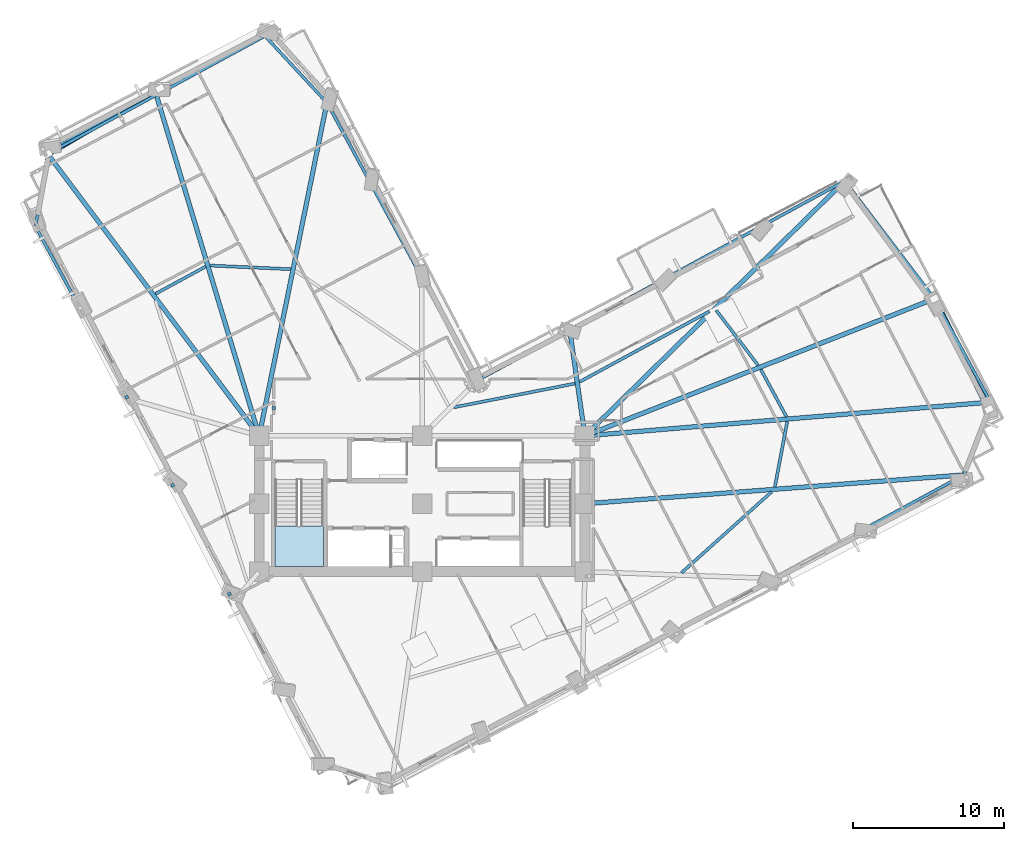
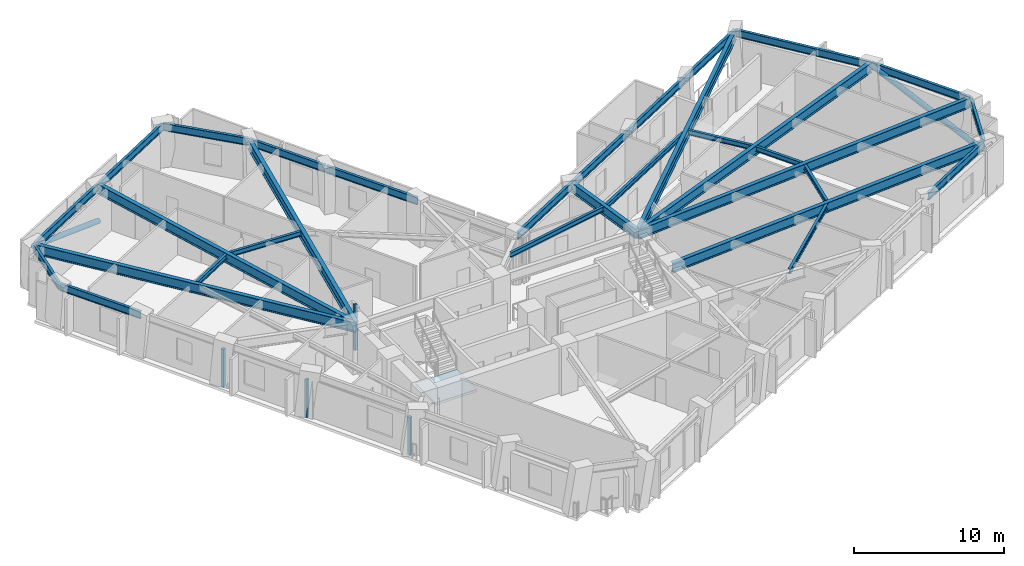
# One storey, part 2 of 16: 31 beams, 4 plates, 2 members, 1 slab, 1 element without a shape of its own.
"""IFC4 building model written with IfcOpenShell, lengths in metres."""

from ifc_helpers import new_model, si_unit, direction, frame, origin, origin_2d, place, context, subcontext, project, spatial, polyline, rectangle, hollow_circle, i_section, outline, extrude, material, layer, layer_set, material_profile, profile_set, type_object, element, aggregate, save


model = new_model("IFC4")

# Units and contexts
model_context = context("Model", 3, precision=1e-05, world=origin(), true_north=direction((0.0, 1.0)))
body_context = subcontext(model_context, "Body", "Model", "MODEL_VIEW")
ifc_project = project(units=[si_unit("LENGTHUNIT", "METRE"), si_unit("AREAUNIT", "SQUARE_METRE"), si_unit("VOLUMEUNIT", "CUBIC_METRE"), si_unit("PLANEANGLEUNIT", "RADIAN"), si_unit("MASSUNIT", "GRAM", prefix="KILO")], contexts=[model_context])

# Site, building, storey
site_placement = place(None, origin())
site = spatial("IfcSite", under=ifc_project, at=site_placement, CompositionType="ELEMENT")
building_placement = place(site_placement, origin())
building = spatial("IfcBuilding", under=site, at=building_placement, Name="Gaonmaruhae Medical Tower", CompositionType="ELEMENT")
storey_placement = place(building_placement, frame((0.0, 0.0, 140.39990234375)))
storey = spatial("IfcBuildingStorey", under=building, at=storey_placement, Name="L33", CompositionType="ELEMENT", Elevation=140.39990234375)

# Beams
ifc_material_1 = material(Name="Steel SM355", Category="steel")
ifc_material_profile_1 = material_profile(ifc_material_1, i_section(OverallWidth=0.199951171875, OverallDepth=0.39990234375, WebThickness=0.008056640625, FlangeThickness=0.012939453125, FilletRadius=0.012939453125, at=origin_2d()), Name="H-400x200x8x13")
ifc_profile_set_1 = profile_set([ifc_material_profile_1], Name="Steel SM355")
beam_type_1 = type_object("IfcBeamType", Name="FJ-01 Lower Zone Ward Floor Joist (H-400x200x8x13)", PredefinedType="JOIST", material=ifc_profile_set_1)
beam_1_placement = place(storey_placement, frame((42.0068359375, 7.72119140625, 3.5), z_axis=(0.743831907735, 0.668366735434, 0.0), x_axis=(-0.668366735434, 0.743831907735, 0.0)))
element("IfcBeam", 1, at=beam_1_placement, inside=storey, type_object=beam_type_1, Name="L33 Secondary Floor Joist FJ03", PredefinedType="JOIST", context=body_context, shape_type="SweptSolid", body=[
    extrude(i_section(OverallWidth=0.199951171875, OverallDepth=0.39990234375, WebThickness=0.008056640625, FlangeThickness=0.012939453125, FilletRadius=0.012939453125, at=origin_2d()), origin(), (0.0, 0.0, 1.0), 8.032958984375),
])
beam_2_placement = place(storey_placement, frame((48.19921875, 13.4169921875, 3.5), z_axis=(0.18556175867, 0.982632603631, 0.0), x_axis=(-0.982632603631, 0.18556175867, 0.0)))
element("IfcBeam", 2, at=beam_2_placement, inside=storey, type_object=beam_type_1, Name="L33 Secondary Floor Joist FJ04", PredefinedType="JOIST", context=body_context, shape_type="SweptSolid", body=[
    extrude(i_section(OverallWidth=0.199951171875, OverallDepth=0.39990234375, WebThickness=0.008056640625, FlangeThickness=0.012939453125, FilletRadius=0.012939453125, at=origin_2d()), origin(), (0.0, 0.0, 1.0), 4.422119140625),
])
beam_3_placement = place(storey_placement, frame((48.96875, 18.0703125, 3.5), z_axis=(-0.477161227282, 0.878815773174, 0.0), x_axis=(-0.878815773174, -0.477161227282, 0.0)))
element("IfcBeam", 3, at=beam_3_placement, inside=storey, type_object=beam_type_1, Name="L33 Secondary Floor Joist FJ05", PredefinedType="JOIST", context=body_context, shape_type="SweptSolid", body=[
    extrude(i_section(OverallWidth=0.199951171875, OverallDepth=0.39990234375, WebThickness=0.008056640625, FlangeThickness=0.012939453125, FilletRadius=0.012939453125, at=origin_2d()), origin(), (0.0, 0.0, 1.0), 3.57275390625),
])
beam_4_placement = place(storey_placement, frame((47.0908203125, 21.47705078125, 3.5), z_axis=(-0.605849230567, 0.795579480518, 0.0), x_axis=(-0.795579480518, -0.605849230567, 0.0)))
element("IfcBeam", 4, at=beam_4_placement, inside=storey, type_object=beam_type_1, Name="L33 Secondary Floor Joist FJ06", PredefinedType="JOIST", context=body_context, shape_type="SweptSolid", body=[
    extrude(i_section(OverallWidth=0.199951171875, OverallDepth=0.39990234375, WebThickness=0.008056640625, FlangeThickness=0.012939453125, FilletRadius=0.012939453125, at=origin_2d()), origin(), (0.0, 0.0, 1.0), 4.588623046875),
])
beam_5_placement = place(storey_placement, frame((43.863525390625, 25.0615234375, 3.5), z_axis=(-0.878818541428, -0.47715612879, 0.0), x_axis=(0.47715612879, -0.878818541428, 0.0)))
element("IfcBeam", 5, at=beam_5_placement, inside=storey, type_object=beam_type_1, Name="L33 Secondary Floor Joist FJ07", PredefinedType="JOIST", context=body_context, shape_type="SweptSolid", body=[
    extrude(i_section(OverallWidth=0.199951171875, OverallDepth=0.39990234375, WebThickness=0.008056640625, FlangeThickness=0.012939453125, FilletRadius=0.012939453125, at=origin_2d()), origin(), (0.0, 0.0, 1.0), 9.80859375),
])
beam_6_placement = place(storey_placement, frame((34.944580078125, 20.272216796875, 3.5), z_axis=(-0.98130137738, -0.192477548697, 0.0), x_axis=(0.192477548697, -0.98130137738, 0.0)))
element("IfcBeam", 6, at=beam_6_placement, inside=storey, type_object=beam_type_1, Name="L33 Secondary Floor Joist FJ08", PredefinedType="JOIST", context=body_context, shape_type="SweptSolid", body=[
    extrude(i_section(OverallWidth=0.199951171875, OverallDepth=0.39990234375, WebThickness=0.008056640625, FlangeThickness=0.012939453125, FilletRadius=0.012939453125, at=origin_2d()), origin(), (0.0, 0.0, 1.0), 8.183837890625),
])
beam_7_placement = place(storey_placement, frame((16.088134765625, 27.85693359375, 3.5), z_axis=(-0.998975502939, 0.0452542211, 0.0), x_axis=(-0.0452542211, -0.998975502939, 0.0)))
element("IfcBeam", 7, at=beam_7_placement, inside=storey, type_object=beam_type_1, Name="L33 Secondary Floor Joist FJ11", PredefinedType="JOIST", context=body_context, shape_type="SweptSolid", body=[
    extrude(i_section(OverallWidth=0.199951171875, OverallDepth=0.39990234375, WebThickness=0.008056640625, FlangeThickness=0.012939453125, FilletRadius=0.012939453125, at=origin_2d()), origin(), (0.0, 0.0, 1.0), 5.3408203125),
])
beam_8_placement = place(storey_placement, frame((10.44775390625, 28.030029296875, 3.5), z_axis=(-0.878816320248, -0.477160219703, 0.0), x_axis=(0.477160219703, -0.878816320248, 0.0)))
element("IfcBeam", 8, at=beam_8_placement, inside=storey, type_object=beam_type_1, Name="L33 Secondary Floor Joist FJ12", PredefinedType="JOIST", context=body_context, shape_type="SweptSolid", body=[
    extrude(i_section(OverallWidth=0.199951171875, OverallDepth=0.39990234375, WebThickness=0.008056640625, FlangeThickness=0.012939453125, FilletRadius=0.012939453125, at=origin_2d()), origin(), (0.0, 0.0, 1.0), 3.783203125),
])

# Members
ifc_material_2 = material(Name="Steel SM420", Category="steel")
ifc_material_profile_2 = material_profile(ifc_material_2, hollow_circle(Radius=0.203125, WallThickness=0.0126953125, at=origin_2d()), Name="CHS-406.4x12.7")
ifc_profile_set_2 = profile_set([ifc_material_profile_2], Name="Steel SM420")
member_type = type_object("IfcMemberType", Name="PB-02 Perimeter Solid-Bay Tube Brace Mid (CHS-406.4x12.7)", PredefinedType="BRACE", material=ifc_profile_set_2)
member_1_placement = place(storey_placement, frame((62.400146484375, 18.5634765625, 0.25), z_axis=(-0.412428963784, 0.834948357833, 0.364367382711), x_axis=(-0.896583749998, -0.44287422508, 0.0)))
element("IfcMember", 9, at=member_1_placement, inside=storey, type_object=member_type, Name="L33 Perimeter Tube Solid-Bay Brace E01-E02", PredefinedType="BRACE", context=body_context, shape_type="SweptSolid", body=[
    extrude(hollow_circle(Radius=0.203125, WallThickness=0.0126953125, at=origin_2d()), origin(), (0.0, 0.0, 1.0), 8.782958984375),
])
member_2_placement = place(storey_placement, frame((7.42138671875, 39.84814453125, 0.25), z_axis=(-0.809784172193, -0.472568649563, 0.3477477044), x_axis=(0.504025835747, -0.86368857634, 0.0)))
element("IfcMember", 10, at=member_2_placement, inside=storey, type_object=member_type, Name="L33 Perimeter Tube Solid-Bay Brace N02-N03", PredefinedType="BRACE", context=body_context, shape_type="SweptSolid", body=[
    extrude(hollow_circle(Radius=0.203125, WallThickness=0.0126953125, at=origin_2d()), origin(), (0.0, 0.0, 1.0), 9.20263671875),
])

# Beams
ifc_material_profile_3 = material_profile(ifc_material_2, i_section(OverallWidth=0.300048828125, OverallDepth=0.800048828125, WebThickness=0.013916015625, FlangeThickness=0.02587890625, FilletRadius=0.01806640625, at=origin_2d()), Name="H-800x300x14x26")
ifc_profile_set_3 = profile_set([ifc_material_profile_3], Name="Steel SM420")
beam_type_2 = type_object("IfcBeamType", Name="PG-02 Zone 2 Radial Floor Girder (H-800x300x14x26)", PredefinedType="BEAM", material=ifc_profile_set_3)
beam_9_placement = place(storey_placement, frame((35.64990234375, 12.3037109375, 3.300048828125), z_axis=(0.997104938025, 0.076037770652, 0.0), x_axis=(-0.076037770652, 0.997104938025, 0.0)))
element("IfcBeam", 11, at=beam_9_placement, inside=storey, type_object=beam_type_2, Name="L33 Radial Primary Girder S07", PredefinedType="BEAM", context=body_context, shape_type="SweptSolid", body=[
    extrude(i_section(OverallWidth=0.300048828125, OverallDepth=0.800048828125, WebThickness=0.013916015625, FlangeThickness=0.02587890625, FilletRadius=0.01806640625, at=origin_2d()), origin(), (0.0, 0.0, 1.0), 25.111572265625),
])
beam_10_placement = place(storey_placement, frame((35.64990234375, 16.80419921875, 3.300048828125), z_axis=(0.996544756427, 0.083057500788, 0.0), x_axis=(-0.083057500788, 0.996544756427, 0.0)))
element("IfcBeam", 12, at=beam_10_placement, inside=storey, type_object=beam_type_2, Name="L33 Radial Primary Girder E01", PredefinedType="BEAM", context=body_context, shape_type="SweptSolid", body=[
    extrude(i_section(OverallWidth=0.300048828125, OverallDepth=0.800048828125, WebThickness=0.013916015625, FlangeThickness=0.02587890625, FilletRadius=0.01806640625, at=origin_2d()), origin(), (0.0, 0.0, 1.0), 26.892822265625),
])
beam_11_placement = place(storey_placement, frame((35.646484375, 16.818359375, 3.300048828125), z_axis=(0.930874093017, 0.365340146918, 0.0), x_axis=(-0.365340146918, 0.930874093017, 0.0)))
element("IfcBeam", 13, at=beam_11_placement, inside=storey, type_object=beam_type_2, Name="L33 Radial Primary Girder E02", PredefinedType="BEAM", context=body_context, shape_type="SweptSolid", body=[
    extrude(i_section(OverallWidth=0.300048828125, OverallDepth=0.800048828125, WebThickness=0.013916015625, FlangeThickness=0.02587890625, FilletRadius=0.01806640625, at=origin_2d()), origin(), (0.0, 0.0, 1.0), 24.799072265625),
])
beam_12_placement = place(storey_placement, frame((35.6357421875, 16.8349609375, 3.300048828125), z_axis=(0.713818147595, 0.700331101811, 0.0), x_axis=(-0.700331101811, 0.713818147595, 0.0)))
element("IfcBeam", 14, at=beam_12_placement, inside=storey, type_object=beam_type_2, Name="L33 Radial Primary Girder E03", PredefinedType="BEAM", context=body_context, shape_type="SweptSolid", body=[
    extrude(i_section(OverallWidth=0.300048828125, OverallDepth=0.800048828125, WebThickness=0.013916015625, FlangeThickness=0.02587890625, FilletRadius=0.01806640625, at=origin_2d()), origin(), (0.0, 0.0, 1.0), 24.039306640625),
])
beam_13_placement = place(storey_placement, frame((35.593017578125, 16.849609375, 3.300048828125), z_axis=(-0.141950500621, 0.989873757291, 0.0), x_axis=(-0.989873757291, -0.141950500621, 0.0)))
element("IfcBeam", 15, at=beam_13_placement, inside=storey, type_object=beam_type_2, Name="L33 Radial Primary Girder EN03", PredefinedType="BEAM", context=body_context, shape_type="SweptSolid", body=[
    extrude(i_section(OverallWidth=0.300048828125, OverallDepth=0.800048828125, WebThickness=0.013916015625, FlangeThickness=0.02587890625, FilletRadius=0.01806640625, at=origin_2d()), origin(), (0.0, 0.0, 1.0), 6.975830078125),
])
beam_14_placement = place(storey_placement, frame((14.010009765625, 16.848876953125, 3.300048828125), z_axis=(0.199162072412, 0.979966565201, 0.0), x_axis=(-0.979966565201, 0.199162072412, 0.0)))
element("IfcBeam", 16, at=beam_14_placement, inside=storey, type_object=beam_type_2, Name="L33 Radial Primary Girder NE03", PredefinedType="BEAM", context=body_context, shape_type="SweptSolid", body=[
    extrude(i_section(OverallWidth=0.300048828125, OverallDepth=0.800048828125, WebThickness=0.013916015625, FlangeThickness=0.02587890625, FilletRadius=0.01806640625, at=origin_2d()), origin(), (0.0, 0.0, 1.0), 22.451171875),
])
beam_15_placement = place(storey_placement, frame((13.985595703125, 16.847900390625, 3.300048828125), z_axis=(-0.288936920843, 0.957348137186, 0.0), x_axis=(-0.957348137186, -0.288936920843, 0.0)))
element("IfcBeam", 17, at=beam_15_placement, inside=storey, type_object=beam_type_2, Name="L33 Radial Primary Girder N02", PredefinedType="BEAM", context=body_context, shape_type="SweptSolid", body=[
    extrude(i_section(OverallWidth=0.300048828125, OverallDepth=0.800048828125, WebThickness=0.013916015625, FlangeThickness=0.02587890625, FilletRadius=0.01806640625, at=origin_2d()), origin(), (0.0, 0.0, 1.0), 23.51953125),
])
beam_16_placement = place(storey_placement, frame((13.969970703125, 16.840087890625, 3.300048828125), z_axis=(-0.60016947379, 0.799872866605, 0.0), x_axis=(-0.799872866605, -0.60016947379, 0.0)))
element("IfcBeam", 18, at=beam_16_placement, inside=storey, type_object=beam_type_2, Name="L33 Radial Primary Girder N03", PredefinedType="BEAM", context=body_context, shape_type="SweptSolid", body=[
    extrude(i_section(OverallWidth=0.300048828125, OverallDepth=0.800048828125, WebThickness=0.013916015625, FlangeThickness=0.02587890625, FilletRadius=0.01806640625, at=origin_2d()), origin(), (0.0, 0.0, 1.0), 23.27783203125),
])
ifc_material_profile_4 = material_profile(ifc_material_1, i_section(OverallWidth=0.199951171875, OverallDepth=0.60009765625, WebThickness=0.010986328125, FlangeThickness=0.01708984375, FilletRadius=0.012939453125, at=origin_2d()), Name="H-600x200x11x17")
ifc_profile_set_4 = profile_set([ifc_material_profile_4], Name="Steel SM355")
beam_type_3 = type_object("IfcBeamType", Name="SP-01 Lower Perimeter Spandrel Beam (H-600x200x11x17)", PredefinedType="SPANDREL", material=ifc_profile_set_4)
beam_17_placement = place(storey_placement, frame((54.4462890625, 10.800537109375, 3.400146484375), z_axis=(0.878823031399, 0.477147859141, 0.0), x_axis=(-0.477147859141, 0.878823031399, 0.0)))
element("IfcBeam", 19, at=beam_17_placement, inside=storey, type_object=beam_type_3, Name="L33 Perimeter Spandrel Beam S06-S07", PredefinedType="SPANDREL", context=body_context, shape_type="SweptSolid", body=[
    extrude(i_section(OverallWidth=0.199951171875, OverallDepth=0.60009765625, WebThickness=0.010986328125, FlangeThickness=0.01708984375, FilletRadius=0.012939453125, at=origin_2d()), origin(), (0.0, 0.0, 1.0), 7.119873046875),
])
beam_18_placement = place(storey_placement, frame((60.752197265625, 14.25439453125, 3.400146484375), z_axis=(0.342855440222, 0.939388177012, 0.0), x_axis=(-0.939388177012, 0.342855440222, 0.0)))
element("IfcBeam", 20, at=beam_18_placement, inside=storey, type_object=beam_type_3, Name="L33 Perimeter Spandrel Beam S07-E01", PredefinedType="SPANDREL", context=body_context, shape_type="SweptSolid", body=[
    extrude(i_section(OverallWidth=0.199951171875, OverallDepth=0.60009765625, WebThickness=0.010986328125, FlangeThickness=0.01708984375, FilletRadius=0.012939453125, at=origin_2d()), origin(), (0.0, 0.0, 1.0), 5.056396484375),
])
beam_19_placement = place(storey_placement, frame((62.48046875, 19.0771484375, 3.400146484375), z_axis=(-0.477153974603, 0.878819711045, 0.0), x_axis=(-0.878819711045, -0.477153974603, 0.0)))
element("IfcBeam", 21, at=beam_19_placement, inside=storey, type_object=beam_type_3, Name="L33 Perimeter Spandrel Beam E01-E02", PredefinedType="SPANDREL", context=body_context, shape_type="SweptSolid", body=[
    extrude(i_section(OverallWidth=0.199951171875, OverallDepth=0.60009765625, WebThickness=0.010986328125, FlangeThickness=0.01708984375, FilletRadius=0.012939453125, at=origin_2d()), origin(), (0.0, 0.0, 1.0), 7.719970703125),
])
beam_20_placement = place(storey_placement, frame((58.753662109375, 25.928466796875, 3.400146484375), z_axis=(-0.605858082597, 0.795572739447, 0.0), x_axis=(-0.795572739447, -0.605858082597, 0.0)))
element("IfcBeam", 22, at=beam_20_placement, inside=storey, type_object=beam_type_3, Name="L33 Perimeter Spandrel Beam E02-E03", PredefinedType="SPANDREL", context=body_context, shape_type="SweptSolid", body=[
    extrude(i_section(OverallWidth=0.199951171875, OverallDepth=0.60009765625, WebThickness=0.010986328125, FlangeThickness=0.01708984375, FilletRadius=0.012939453125, at=origin_2d()), origin(), (0.0, 0.0, 1.0), 9.7353515625),
])
beam_21_placement = place(storey_placement, frame((52.7958984375, 33.6865234375, 3.400146484375), z_axis=(-0.878800248069, -0.477189819668, 0.0), x_axis=(0.477189819668, -0.878800248069, 0.0)))
element("IfcBeam", 23, at=beam_21_placement, inside=storey, type_object=beam_type_3, Name="L33 Perimeter Spandrel Beam E03-EN01", PredefinedType="SPANDREL", context=body_context, shape_type="SweptSolid", body=[
    extrude(i_section(OverallWidth=0.199951171875, OverallDepth=0.60009765625, WebThickness=0.010986328125, FlangeThickness=0.01708984375, FilletRadius=0.012939453125, at=origin_2d()), origin(), (0.0, 0.0, 1.0), 6.27001953125),
])
beam_22_placement = place(storey_placement, frame((47.215576171875, 30.656494140625, 3.400146484375), z_axis=(-0.878816459619, -0.477159963014, 0.0), x_axis=(0.477159963014, -0.878816459619, 0.0)))
element("IfcBeam", 24, at=beam_22_placement, inside=storey, type_object=beam_type_3, Name="L33 Perimeter Spandrel Beam EN01-EN02", PredefinedType="SPANDREL", context=body_context, shape_type="SweptSolid", body=[
    extrude(i_section(OverallWidth=0.199951171875, OverallDepth=0.60009765625, WebThickness=0.010986328125, FlangeThickness=0.01708984375, FilletRadius=0.012939453125, at=origin_2d()), origin(), (0.0, 0.0, 1.0), 7.1201171875),
])
beam_23_placement = place(storey_placement, frame((40.887939453125, 27.220947265625, 3.400146484375), z_axis=(-0.878808652384, -0.477174341823, 0.0), x_axis=(0.477174341823, -0.878808652384, 0.0)))
element("IfcBeam", 25, at=beam_23_placement, inside=storey, type_object=beam_type_3, Name="L33 Perimeter Spandrel Beam EN02-EN03", PredefinedType="SPANDREL", context=body_context, shape_type="SweptSolid", body=[
    extrude(i_section(OverallWidth=0.199951171875, OverallDepth=0.60009765625, WebThickness=0.010986328125, FlangeThickness=0.01708984375, FilletRadius=0.012939453125, at=origin_2d()), origin(), (0.0, 0.0, 1.0), 7.119873046875),
])
beam_24_placement = place(storey_placement, frame((34.560546875, 23.785400390625, 3.400146484375), z_axis=(-0.878821500483, -0.47715067881, 0.0), x_axis=(0.47715067881, -0.878821500483, 0.0)))
element("IfcBeam", 26, at=beam_24_placement, inside=storey, type_object=beam_type_3, Name="L33 Perimeter Spandrel Beam EN03-KN01", PredefinedType="SPANDREL", context=body_context, shape_type="SweptSolid", body=[
    extrude(i_section(OverallWidth=0.199951171875, OverallDepth=0.60009765625, WebThickness=0.010986328125, FlangeThickness=0.01708984375, FilletRadius=0.012939453125, at=origin_2d()), origin(), (0.0, 0.0, 1.0), 6.8701171875),
])
beam_25_placement = place(storey_placement, frame((24.770751953125, 27.334228515625, 3.400146484375), z_axis=(-0.477147859141, 0.878823031399, 0.0), x_axis=(-0.878823031399, -0.477147859141, 0.0)))
element("IfcBeam", 27, at=beam_25_placement, inside=storey, type_object=beam_type_3, Name="L33 Perimeter Spandrel Beam NE01-NE02", PredefinedType="SPANDREL", context=body_context, shape_type="SweptSolid", body=[
    extrude(i_section(OverallWidth=0.199951171875, OverallDepth=0.60009765625, WebThickness=0.010986328125, FlangeThickness=0.01708984375, FilletRadius=0.012939453125, at=origin_2d()), origin(), (0.0, 0.0, 1.0), 7.119873046875),
])
beam_26_placement = place(storey_placement, frame((21.335205078125, 33.66162109375, 3.400146484375), z_axis=(-0.477146467242, 0.878823787115, 0.0), x_axis=(-0.878823787115, -0.477146467242, 0.0)))
element("IfcBeam", 28, at=beam_26_placement, inside=storey, type_object=beam_type_3, Name="L33 Perimeter Spandrel Beam NE02-NE03", PredefinedType="SPANDREL", context=body_context, shape_type="SweptSolid", body=[
    extrude(i_section(OverallWidth=0.199951171875, OverallDepth=0.60009765625, WebThickness=0.010986328125, FlangeThickness=0.01708984375, FilletRadius=0.012939453125, at=origin_2d()), origin(), (0.0, 0.0, 1.0), 5.919921875),
])
beam_27_placement = place(storey_placement, frame((18.464111328125, 38.9287109375, 3.400146484375), z_axis=(-0.680485669233, 0.732761389518, 0.0), x_axis=(-0.732761389518, -0.680485669233, 0.0)))
element("IfcBeam", 29, at=beam_27_placement, inside=storey, type_object=beam_type_3, Name="L33 Perimeter Spandrel Beam NE03-N01", PredefinedType="SPANDREL", context=body_context, shape_type="SweptSolid", body=[
    extrude(i_section(OverallWidth=0.199951171875, OverallDepth=0.60009765625, WebThickness=0.010986328125, FlangeThickness=0.01708984375, FilletRadius=0.012939453125, at=origin_2d()), origin(), (0.0, 0.0, 1.0), 5.959228515625),
])
for number, where, z_axis, x_axis, name in (
    (30, (14.3466796875, 43.3056640625, 3.400146484375), (-0.878817770102, -0.477157549404, 0.0), (0.477157549404, -0.878817770102, 0.0), "L33 Perimeter Spandrel Beam N01-N02"),
    (31, (7.140380859375, 39.39306640625, 3.400146484375), (-0.878817770102, -0.477157549404, 0.0), (0.477157549404, -0.878817770102, 0.0), "L33 Perimeter Spandrel Beam N02-N03"),
):
    element("IfcBeam", number, at=place(storey_placement, frame(where, z_axis=z_axis, x_axis=x_axis)), inside=storey, type_object=beam_type_3, Name=name, PredefinedType="SPANDREL", context=body_context, shape_type="SweptSolid", body=[
        extrude(i_section(OverallWidth=0.199951171875, OverallDepth=0.60009765625, WebThickness=0.010986328125, FlangeThickness=0.01708984375, FilletRadius=0.012939453125, at=origin_2d()), origin(), (0.0, 0.0, 1.0), 8.119873046875),
    ])
beam_28_placement = place(storey_placement, frame((-0.037353515625, 35.4599609375, 3.400146484375), z_axis=(-0.163747480025, -0.986502287268, 0.0), x_axis=(0.986502287268, -0.163747480025, 0.0)))
element("IfcBeam", 32, at=beam_28_placement, inside=storey, type_object=beam_type_3, Name="L33 Perimeter Spandrel Beam N03-W01", PredefinedType="SPANDREL", context=body_context, shape_type="SweptSolid", body=[
    extrude(i_section(OverallWidth=0.199951171875, OverallDepth=0.60009765625, WebThickness=0.010986328125, FlangeThickness=0.01708984375, FilletRadius=0.012939453125, at=origin_2d()), origin(), (0.0, 0.0, 1.0), 4.80078125),
])
beam_29_placement = place(storey_placement, frame((-0.81103515625, 30.649169921875, 3.400146484375), z_axis=(0.477167734371, -0.878812240058, 0.0), x_axis=(0.878812240058, 0.477167734371, 0.0)))
element("IfcBeam", 33, at=beam_29_placement, inside=storey, type_object=beam_type_3, Name="L33 Perimeter Spandrel Beam W01-W02", PredefinedType="SPANDREL", context=body_context, shape_type="SweptSolid", body=[
    extrude(i_section(OverallWidth=0.199951171875, OverallDepth=0.60009765625, WebThickness=0.010986328125, FlangeThickness=0.01708984375, FilletRadius=0.012939453125, at=origin_2d()), origin(), (0.0, 0.0, 1.0), 6.31982421875),
])

# Plates
ifc_material_3 = material(Name="Anodised aluminium 6063-T6", Category="aluminium")
ifc_layer_1 = layer(ifc_material_3, 0.011962890625)
ifc_layer_set_1 = layer_set([ifc_layer_1], Name="Anodised aluminium 6063-T6")
plate_type = type_object("IfcPlateType", Name="PP-01 Interior Partition Corner Stiffener Plate", PredefinedType="SHEET", material=ifc_layer_set_1)
for number, where, z_axis, x_axis, name in (
    (34, (12.0244140625, 6.3125, 0.0), (0.0, 0.0, 1.0), (-0.462259418184, 0.88674473796, 0.0), "L33 Partition Corner Stiffener Plate PLT-L33-JGP-PW036"),
    (35, (8.262451171875, 13.5244140625, 0.0), (0.0, 0.0, 1.0), (-0.462878370096, 0.886421803938, 0.0), "L33 Partition Corner Stiffener Plate PLT-L33-JGP-PW041"),
):
    element("IfcPlate", number, at=place(storey_placement, frame(where, z_axis=z_axis, x_axis=x_axis)), inside=storey, type_object=plate_type, Name=name, PredefinedType="SHEET", context=body_context, shape_type="SweptSolid", body=[
        extrude(rectangle(XDim=0.219970703125, YDim=0.219970703125, at=origin_2d()), origin(), (0.0, 0.0, 1.0), 3.0849609375),
    ])
plate_1_placement = place(storey_placement, frame((14.969970703125, 18.657470703125, 0.0), z_axis=(0.0, 0.0, 1.0), x_axis=(0.0, -1.0, 0.0)))
element("IfcPlate", 36, at=plate_1_placement, inside=storey, type_object=plate_type, Name="L33 Partition Corner Stiffener Plate PLT-L33-JGP-PW043", PredefinedType="SHEET", context=body_context, shape_type="SweptSolid", body=[
    extrude(rectangle(XDim=0.219970703125, YDim=0.219970703125, at=origin_2d()), origin(), (0.0, 0.0, 1.0), 3.699951171875),
])
plate_2_placement = place(storey_placement, frame((5.212890625, 19.369384765625, 0.0), z_axis=(0.0, 0.0, 1.0), x_axis=(-0.4623367995, 0.88670439484, 0.0)))
element("IfcPlate", 37, at=plate_2_placement, inside=storey, type_object=plate_type, Name="L33 Partition Corner Stiffener Plate PLT-L33-JGP-PW045", PredefinedType="SHEET", context=body_context, shape_type="SweptSolid", body=[
    extrude(rectangle(XDim=0.219970703125, YDim=0.219970703125, at=origin_2d()), origin(), (0.0, 0.0, 1.0), 3.0849609375),
])

# Stair, slab
ifc_material_4 = material(Name="Concrete C40/50", Category="concrete")
stair_type = type_object("IfcStairType", Name="ST-T1 Primary Core Escape Dogleg Stair", PredefinedType="TWO_QUARTER_TURN_STAIR", material=ifc_material_4)
stair_placement = place(storey_placement, origin())
stair = element("IfcStair", 38, at=stair_placement, inside=storey, type_object=stair_type, Name="L33 Protected Escape Stair ST-01", PredefinedType="TWO_QUARTER_TURN_STAIR")
ifc_layer_2 = layer(ifc_material_4, 0.199951171875)
ifc_layer_set_2 = layer_set([ifc_layer_2], Name="Concrete C40/50")
slab_type = type_object("IfcSlabType", Name="SL-200 Stair & Ramp Intermediate Concrete Landing", PredefinedType="LANDING", material=ifc_layer_set_2)
slab_placement = place(storey_placement, frame((0.0, 0.0, 1.800048828125)))
slab = element("IfcSlab", 39, at=slab_placement, type_object=slab_type, Name="ST-01 landing 1", PredefinedType="LANDING", context=body_context, shape_type="SweptSolid", body=[
    extrude(outline(polyline([(15.050048828125, 10.820068359375), (15.050048828125, 8.12890625), (18.25, 8.12890625), (18.25, 10.820068359375), (15.050048828125, 10.820068359375)])), origin(), (0.0, 0.0, 1.0), 0.199951171875),
])
aggregate(stair, [slab])

save(model, "model.ifc")
